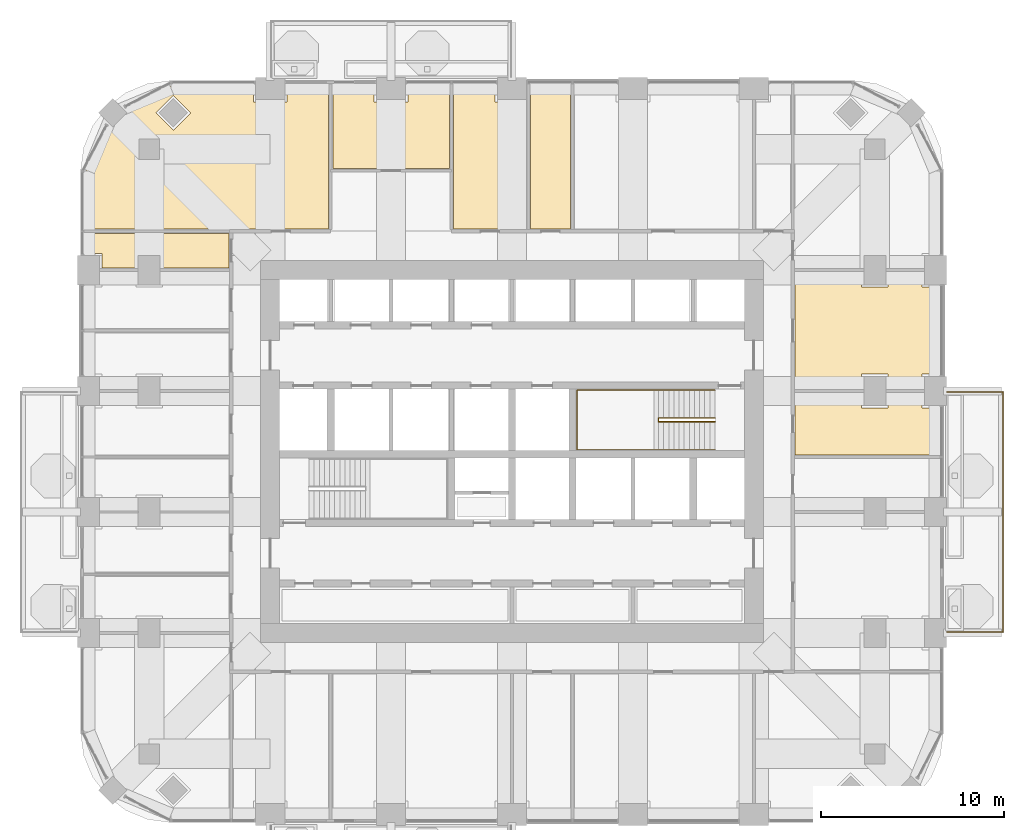
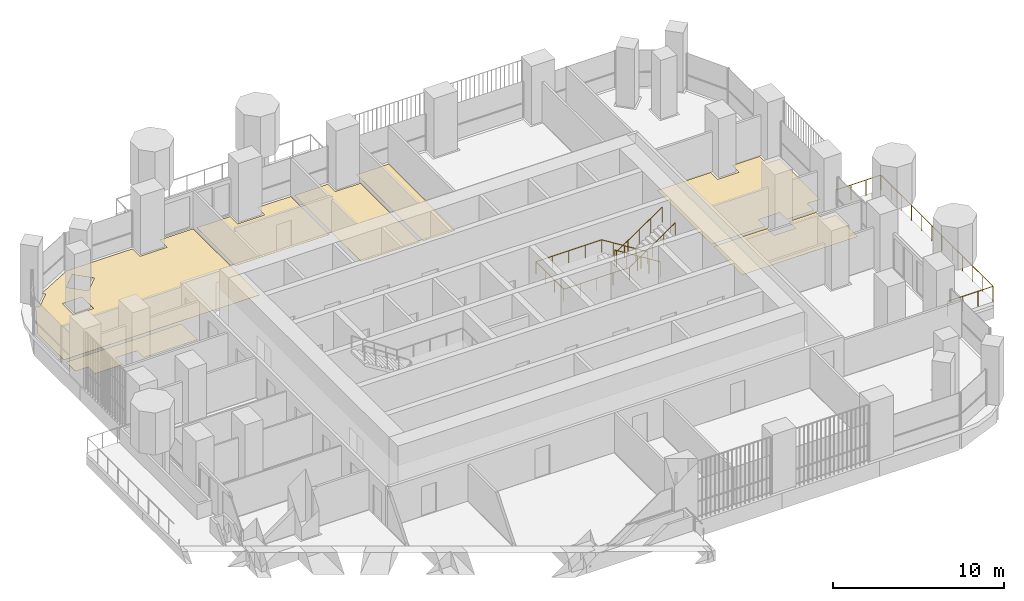
# One storey, part 18 of 20: 7 coverings, 3 railings.
"""IFC4 building model written with IfcOpenShell, lengths in metres."""

from ifc_helpers import new_model, si_unit, direction, frame, origin, place, context, subcontext, project, spatial, polyline, outline, extrude, material, layer, layer_set, type_object, element, save


model = new_model("IFC4")

# Units and contexts
model_context = context("Model", 3, precision=1e-05, world=origin(), true_north=direction((0.0, 1.0)))
body_context = subcontext(model_context, "Body", "Model", "MODEL_VIEW")
ifc_project = project(units=[si_unit("LENGTHUNIT", "METRE"), si_unit("AREAUNIT", "SQUARE_METRE"), si_unit("VOLUMEUNIT", "CUBIC_METRE"), si_unit("PLANEANGLEUNIT", "RADIAN"), si_unit("MASSUNIT", "GRAM", prefix="KILO")], contexts=[model_context])

# Site, building, storey
site_placement = place(None, origin())
site = spatial("IfcSite", under=ifc_project, at=site_placement, CompositionType="ELEMENT")
building_placement = place(site_placement, origin())
building = spatial("IfcBuilding", under=site, at=building_placement, Name="Cobogo Forest Laboratory Tower", CompositionType="ELEMENT")
storey_placement = place(building_placement, frame((0.0, 0.0, 210.300048828125)))
storey = spatial("IfcBuildingStorey", under=building, at=storey_placement, Name="L48", CompositionType="ELEMENT", Elevation=210.300048828125)

# Railing
ifc_material_1 = material(Name="Laminated glass balustrade", Category="glass")
railing_type_1 = type_object("IfcRailingType", Name="BG1 glass balustrade 1100", PredefinedType="GUARDRAIL", material=ifc_material_1)
railing_1_placement = place(storey_placement, frame((50.14990234375, 13.25, 0.0)))
element("IfcRailing", 1, at=railing_1_placement, inside=storey, type_object=railing_type_1, Name="Balcony balustrade BAL-E1 L48", PredefinedType="GUARDRAIL", context=body_context, shape_type="SweptSolid", body=[
    extrude(outline(polyline([(0.022216796875, 0.00927734375), (0.00927734375, 0.022216796875), (-0.00927734375, 0.022216796875), (-0.022216796875, 0.00927734375), (-0.022216796875, -0.00927734375), (-0.00927734375, -0.022216796875), (0.00927734375, -0.022216796875), (0.022216796875, -0.00927734375), (0.022216796875, 0.00927734375)])), frame((0.0, 0.0, 1.077880859375), z_axis=(1.0, 0.0, 0.0), x_axis=(0.0, 1.0, 0.0)), (0.0, 0.0, 1.0), 3.050048828125),
    extrude(outline(polyline([(0.022216796875, 0.00927734375), (0.00927734375, 0.022216796875), (-0.00927734375, 0.022216796875), (-0.022216796875, 0.00927734375), (-0.022216796875, -0.00927734375), (-0.00927734375, -0.022216796875), (0.00927734375, -0.022216796875), (0.022216796875, -0.00927734375), (0.022216796875, 0.00927734375)])), frame((3.050048828125, 0.0, 1.077880859375), z_axis=(0.0, 1.0, 0.0), x_axis=(-1.0, 0.0, 0.0)), (0.0, 0.0, 1.0), 13.10009765625),
    extrude(outline(polyline([(0.022216796875, 0.00927734375), (0.00927734375, 0.022216796875), (-0.00927734375, 0.022216796875), (-0.022216796875, 0.00927734375), (-0.022216796875, -0.00927734375), (-0.00927734375, -0.022216796875), (0.00927734375, -0.022216796875), (0.022216796875, -0.00927734375), (0.022216796875, 0.00927734375)])), frame((3.050048828125, 13.10009765625, 1.077880859375), z_axis=(-1.0, 0.0, 0.0), x_axis=(0.0, -1.0, 0.0)), (0.0, 0.0, 1.0), 3.050048828125),
    extrude(outline(polyline([(0.019287109375, 0.008056640625), (0.008056640625, 0.019287109375), (-0.008056640625, 0.019287109375), (-0.019287109375, 0.008056640625), (-0.019287109375, -0.008056640625), (-0.008056640625, -0.019287109375), (0.008056640625, -0.019287109375), (0.019287109375, -0.008056640625), (0.019287109375, 0.008056640625)])), origin(), (0.0, 0.0, 1.0), 1.077880859375),
    extrude(outline(polyline([(0.019287109375, 0.008056640625), (0.008056640625, 0.019287109375), (-0.008056640625, 0.019287109375), (-0.019287109375, 0.008056640625), (-0.019287109375, -0.008056640625), (-0.008056640625, -0.019287109375), (0.008056640625, -0.019287109375), (0.019287109375, -0.008056640625), (0.019287109375, 0.008056640625)])), frame((1.0166015625, 0.0, 0.0)), (0.0, 0.0, 1.0), 1.077880859375),
    extrude(outline(polyline([(0.019287109375, 0.008056640625), (0.008056640625, 0.019287109375), (-0.008056640625, 0.019287109375), (-0.019287109375, 0.008056640625), (-0.019287109375, -0.008056640625), (-0.008056640625, -0.019287109375), (0.008056640625, -0.019287109375), (0.019287109375, -0.008056640625), (0.019287109375, 0.008056640625)])), frame((2.033447265625, 0.0, 0.0)), (0.0, 0.0, 1.0), 1.077880859375),
    extrude(outline(polyline([(0.019287109375, 0.008056640625), (0.008056640625, 0.019287109375), (-0.008056640625, 0.019287109375), (-0.019287109375, 0.008056640625), (-0.019287109375, -0.008056640625), (-0.008056640625, -0.019287109375), (0.008056640625, -0.019287109375), (0.019287109375, -0.008056640625), (0.019287109375, 0.008056640625)])), frame((3.050048828125, 0.0, 0.0)), (0.0, 0.0, 1.0), 1.077880859375),
    extrude(outline(polyline([(0.019287109375, 0.008056640625), (0.008056640625, 0.019287109375), (-0.008056640625, 0.019287109375), (-0.019287109375, 0.008056640625), (-0.019287109375, -0.008056640625), (-0.008056640625, -0.019287109375), (0.008056640625, -0.019287109375), (0.019287109375, -0.008056640625), (0.019287109375, 0.008056640625)])), frame((3.050048828125, 1.19091796875, 0.0)), (0.0, 0.0, 1.0), 1.077880859375),
    extrude(outline(polyline([(0.019287109375, 0.008056640625), (0.008056640625, 0.019287109375), (-0.008056640625, 0.019287109375), (-0.019287109375, 0.008056640625), (-0.019287109375, -0.008056640625), (-0.008056640625, -0.019287109375), (0.008056640625, -0.019287109375), (0.019287109375, -0.008056640625), (0.019287109375, 0.008056640625)])), frame((3.050048828125, 2.3818359375, 0.0)), (0.0, 0.0, 1.0), 1.077880859375),
    extrude(outline(polyline([(0.019287109375, 0.008056640625), (0.008056640625, 0.019287109375), (-0.008056640625, 0.019287109375), (-0.019287109375, 0.008056640625), (-0.019287109375, -0.008056640625), (-0.008056640625, -0.019287109375), (0.008056640625, -0.019287109375), (0.019287109375, -0.008056640625), (0.019287109375, 0.008056640625)])), frame((3.050048828125, 3.57275390625, 0.0)), (0.0, 0.0, 1.0), 1.077880859375),
    extrude(outline(polyline([(0.019287109375, 0.008056640625), (0.008056640625, 0.019287109375), (-0.008056640625, 0.019287109375), (-0.019287109375, 0.008056640625), (-0.019287109375, -0.008056640625), (-0.008056640625, -0.019287109375), (0.008056640625, -0.019287109375), (0.019287109375, -0.008056640625), (0.019287109375, 0.008056640625)])), frame((3.050048828125, 4.763671875, 0.0)), (0.0, 0.0, 1.0), 1.077880859375),
    extrude(outline(polyline([(0.019287109375, 0.008056640625), (0.008056640625, 0.019287109375), (-0.008056640625, 0.019287109375), (-0.019287109375, 0.008056640625), (-0.019287109375, -0.008056640625), (-0.008056640625, -0.019287109375), (0.008056640625, -0.019287109375), (0.019287109375, -0.008056640625), (0.019287109375, 0.008056640625)])), frame((3.050048828125, 5.95458984375, 0.0)), (0.0, 0.0, 1.0), 1.077880859375),
    extrude(outline(polyline([(0.019287109375, 0.008056640625), (0.008056640625, 0.019287109375), (-0.008056640625, 0.019287109375), (-0.019287109375, 0.008056640625), (-0.019287109375, -0.008056640625), (-0.008056640625, -0.019287109375), (0.008056640625, -0.019287109375), (0.019287109375, -0.008056640625), (0.019287109375, 0.008056640625)])), frame((3.050048828125, 7.1455078125, 0.0)), (0.0, 0.0, 1.0), 1.077880859375),
    extrude(outline(polyline([(0.019287109375, 0.008056640625), (0.008056640625, 0.019287109375), (-0.008056640625, 0.019287109375), (-0.019287109375, 0.008056640625), (-0.019287109375, -0.008056640625), (-0.008056640625, -0.019287109375), (0.008056640625, -0.019287109375), (0.019287109375, -0.008056640625), (0.019287109375, 0.008056640625)])), frame((3.050048828125, 8.33642578125, 0.0)), (0.0, 0.0, 1.0), 1.077880859375),
    extrude(outline(polyline([(0.019287109375, 0.008056640625), (0.008056640625, 0.019287109375), (-0.008056640625, 0.019287109375), (-0.019287109375, 0.008056640625), (-0.019287109375, -0.008056640625), (-0.008056640625, -0.019287109375), (0.008056640625, -0.019287109375), (0.019287109375, -0.008056640625), (0.019287109375, 0.008056640625)])), frame((3.050048828125, 9.52734375, 0.0)), (0.0, 0.0, 1.0), 1.077880859375),
    extrude(outline(polyline([(0.019287109375, 0.008056640625), (0.008056640625, 0.019287109375), (-0.008056640625, 0.019287109375), (-0.019287109375, 0.008056640625), (-0.019287109375, -0.008056640625), (-0.008056640625, -0.019287109375), (0.008056640625, -0.019287109375), (0.019287109375, -0.008056640625), (0.019287109375, 0.008056640625)])), frame((3.050048828125, 10.71826171875, 0.0)), (0.0, 0.0, 1.0), 1.077880859375),
    extrude(outline(polyline([(0.019287109375, 0.008056640625), (0.008056640625, 0.019287109375), (-0.008056640625, 0.019287109375), (-0.019287109375, 0.008056640625), (-0.019287109375, -0.008056640625), (-0.008056640625, -0.019287109375), (0.008056640625, -0.019287109375), (0.019287109375, -0.008056640625), (0.019287109375, 0.008056640625)])), frame((3.050048828125, 11.9091796875, 0.0)), (0.0, 0.0, 1.0), 1.077880859375),
    extrude(outline(polyline([(0.019287109375, 0.008056640625), (0.008056640625, 0.019287109375), (-0.008056640625, 0.019287109375), (-0.019287109375, 0.008056640625), (-0.019287109375, -0.008056640625), (-0.008056640625, -0.019287109375), (0.008056640625, -0.019287109375), (0.019287109375, -0.008056640625), (0.019287109375, 0.008056640625)])), frame((3.050048828125, 13.10009765625, 0.0)), (0.0, 0.0, 1.0), 1.077880859375),
    extrude(outline(polyline([(0.019287109375, 0.008056640625), (0.008056640625, 0.019287109375), (-0.008056640625, 0.019287109375), (-0.019287109375, 0.008056640625), (-0.019287109375, -0.008056640625), (-0.008056640625, -0.019287109375), (0.008056640625, -0.019287109375), (0.019287109375, -0.008056640625), (0.019287109375, 0.008056640625)])), frame((2.033447265625, 13.10009765625, 0.0)), (0.0, 0.0, 1.0), 1.077880859375),
    extrude(outline(polyline([(0.019287109375, 0.008056640625), (0.008056640625, 0.019287109375), (-0.008056640625, 0.019287109375), (-0.019287109375, 0.008056640625), (-0.019287109375, -0.008056640625), (-0.008056640625, -0.019287109375), (0.008056640625, -0.019287109375), (0.019287109375, -0.008056640625), (0.019287109375, 0.008056640625)])), frame((1.0166015625, 13.10009765625, 0.0)), (0.0, 0.0, 1.0), 1.077880859375),
    extrude(outline(polyline([(0.019287109375, 0.008056640625), (0.008056640625, 0.019287109375), (-0.008056640625, 0.019287109375), (-0.019287109375, 0.008056640625), (-0.019287109375, -0.008056640625), (-0.008056640625, -0.019287109375), (0.008056640625, -0.019287109375), (0.019287109375, -0.008056640625), (0.019287109375, 0.008056640625)])), frame((0.0, 13.10009765625, 0.0)), (0.0, 0.0, 1.0), 1.077880859375),
])

# Coverings
ifc_material_2 = material(Name="Carpet tile on raised access floor", Category="flooring")
ifc_layer_1 = layer(ifc_material_2, 0.008056640625)
ifc_layer_set_1 = layer_set([ifc_layer_1], Name="CT1 carpet tile floor 8")
covering_type_1 = type_object("IfcCoveringType", Name="CT1 carpet tile floor 8", PredefinedType="FLOORING", material=ifc_layer_set_1)
covering_1_placement = place(storey_placement, origin())
element("IfcCovering", 2, at=covering_1_placement, inside=storey, type_object=covering_type_1, Name="Carpet floor L48-11", PredefinedType="FLOORING", context=body_context, shape_type="SweptSolid", body=[
    extrude(outline(polyline([(3.14990234375, 35.2451171875), (3.14990234375, 38.350830078125), (4.440185546875, 40.812255859375), (4.617919921875, 40.634521484375), (5.5654296875, 41.58203125), (5.387939453125, 41.759765625), (7.84912109375, 43.050048828125), (12.280029296875, 43.050048828125), (12.280029296875, 42.179931640625), (14.1201171875, 42.179931640625), (14.1201171875, 43.050048828125), (16.3798828125, 43.050048828125), (16.3798828125, 35.2451171875), (3.14990234375, 35.2451171875)]), holes=[polyline([(7.91796875, 40.634521484375), (8.865478515625, 41.58203125), (7.91796875, 42.529541015625), (6.970458984375, 41.58203125), (7.91796875, 40.634521484375)]), polyline([(5.929931640625, 38.929931640625), (7.27001953125, 38.929931640625), (7.27001953125, 40.27001953125), (5.929931640625, 40.27001953125), (5.929931640625, 38.929931640625)])]), origin(), (0.0, 0.0, 1.0), 0.008056640625),
])
covering_2_placement = place(storey_placement, origin())
element("IfcCovering", 3, at=covering_2_placement, inside=storey, type_object=covering_type_1, Name="Carpet floor L48-12", PredefinedType="FLOORING", context=body_context, shape_type="SweptSolid", body=[
    extrude(outline(polyline([(16.6201171875, 38.544921875), (16.6201171875, 43.050048828125), (18.8798828125, 43.050048828125), (18.8798828125, 42.179931640625), (20.719970703125, 42.179931640625), (20.719970703125, 43.050048828125), (22.97998046875, 43.050048828125), (22.97998046875, 38.544921875), (16.6201171875, 38.544921875)])), origin(), (0.0, 0.0, 1.0), 0.008056640625),
])
covering_3_placement = place(storey_placement, origin())
element("IfcCovering", 4, at=covering_3_placement, inside=storey, type_object=covering_type_1, Name="Carpet floor L48-13", PredefinedType="FLOORING", context=body_context, shape_type="SweptSolid", body=[
    extrude(outline(polyline([(23.219970703125, 35.2451171875), (23.219970703125, 43.050048828125), (25.47998046875, 43.050048828125), (25.47998046875, 42.179931640625), (27.179931640625, 42.179931640625), (27.179931640625, 35.2451171875), (23.219970703125, 35.2451171875)])), origin(), (0.0, 0.0, 1.0), 0.008056640625),
])

# Railings
ifc_material_3 = material(Name="Steel balustrade", Category="steel")
railing_type_2 = type_object("IfcRailingType", Name="GR stair guard 1100", PredefinedType="GUARDRAIL", material=ifc_material_3)
railing_2_placement = place(storey_placement, frame((37.47509765625, 24.929931640625, 0.175048828125)))
element("IfcRailing", 5, at=railing_2_placement, inside=storey, type_object=railing_type_2, Name="Stair guard ST2 L48", PredefinedType="GUARDRAIL", context=body_context, shape_type="SweptSolid", body=[
    extrude(outline(polyline([(0.022216796875, 0.00927734375), (0.00927734375, 0.022216796875), (-0.00927734375, 0.022216796875), (-0.022216796875, 0.00927734375), (-0.022216796875, -0.00927734375), (-0.00927734375, -0.022216796875), (0.00927734375, -0.022216796875), (0.022216796875, -0.00927734375), (0.022216796875, 0.00927734375)])), frame((0.0, 0.0, 1.077880859375), z_axis=(-0.848028513186, 0.0, 0.529950602248), x_axis=(0.0, -1.0, 0.0)), (0.0, 0.0, 1.0), 3.632080078125),
    extrude(outline(polyline([(0.022216796875, 0.00927734375), (0.00927734375, 0.022216796875), (-0.00927734375, 0.022216796875), (-0.022216796875, 0.00927734375), (-0.022216796875, -0.00927734375), (-0.00927734375, -0.022216796875), (0.00927734375, -0.022216796875), (0.022216796875, -0.00927734375), (0.022216796875, 0.00927734375)])), frame((-3.080078125, 0.0, 3.002685546875), z_axis=(0.0, -1.0, 0.0), x_axis=(1.0, 0.0, 0.0)), (0.0, 0.0, 1.0), 0.2099609375),
    extrude(outline(polyline([(0.022216796875, 0.00927734375), (0.00927734375, 0.022216796875), (-0.00927734375, 0.022216796875), (-0.022216796875, 0.00927734375), (-0.022216796875, -0.00927734375), (-0.00927734375, -0.022216796875), (0.00927734375, -0.022216796875), (0.022216796875, -0.00927734375), (0.022216796875, 0.00927734375)])), frame((-3.080078125, -0.2099609375, 3.002685546875), z_axis=(0.826221800596, 0.0, 0.563344953133), x_axis=(0.0, 1.0, 0.0)), (0.0, 0.0, 1.0), 3.72802734375),
    extrude(outline(polyline([(0.019287109375, 0.008056640625), (0.008056640625, 0.019287109375), (-0.008056640625, 0.019287109375), (-0.019287109375, 0.008056640625), (-0.019287109375, -0.008056640625), (-0.008056640625, -0.019287109375), (0.008056640625, -0.019287109375), (0.019287109375, -0.008056640625), (0.019287109375, 0.008056640625)])), origin(), (0.0, 0.0, 1.0), 1.077880859375),
    extrude(outline(polyline([(0.019287109375, 0.008056640625), (0.008056640625, 0.019287109375), (-0.008056640625, 0.019287109375), (-0.019287109375, 0.008056640625), (-0.019287109375, -0.008056640625), (-0.008056640625, -0.019287109375), (0.008056640625, -0.019287109375), (0.019287109375, -0.008056640625), (0.019287109375, 0.008056640625)])), frame((-0.77001953125, 0.0, 0.481201171875)), (0.0, 0.0, 1.0), 1.077880859375),
    extrude(outline(polyline([(0.019287109375, 0.008056640625), (0.008056640625, 0.019287109375), (-0.008056640625, 0.019287109375), (-0.019287109375, 0.008056640625), (-0.019287109375, -0.008056640625), (-0.008056640625, -0.019287109375), (0.008056640625, -0.019287109375), (0.019287109375, -0.008056640625), (0.019287109375, 0.008056640625)])), frame((-1.5400390625, 0.0, 0.96240234375)), (0.0, 0.0, 1.0), 1.077880859375),
    extrude(outline(polyline([(0.019287109375, 0.008056640625), (0.008056640625, 0.019287109375), (-0.008056640625, 0.019287109375), (-0.019287109375, 0.008056640625), (-0.019287109375, -0.008056640625), (-0.008056640625, -0.019287109375), (0.008056640625, -0.019287109375), (0.019287109375, -0.008056640625), (0.019287109375, 0.008056640625)])), frame((-2.31005859375, 0.0, 1.443603515625)), (0.0, 0.0, 1.0), 1.077880859375),
    extrude(outline(polyline([(0.019287109375, 0.008056640625), (0.008056640625, 0.019287109375), (-0.008056640625, 0.019287109375), (-0.019287109375, 0.008056640625), (-0.019287109375, -0.008056640625), (-0.008056640625, -0.019287109375), (0.008056640625, -0.019287109375), (0.019287109375, -0.008056640625), (0.019287109375, 0.008056640625)])), frame((-3.080078125, 0.0, 1.9248046875)), (0.0, 0.0, 1.0), 1.077880859375),
    extrude(outline(polyline([(0.019287109375, 0.008056640625), (0.008056640625, 0.019287109375), (-0.008056640625, 0.019287109375), (-0.019287109375, 0.008056640625), (-0.019287109375, -0.008056640625), (-0.008056640625, -0.019287109375), (0.008056640625, -0.019287109375), (0.019287109375, -0.008056640625), (0.019287109375, 0.008056640625)])), frame((-3.080078125, -0.2099609375, 1.9248046875)), (0.0, 0.0, 1.0), 1.077880859375),
    extrude(outline(polyline([(0.019287109375, 0.008056640625), (0.008056640625, 0.019287109375), (-0.008056640625, 0.019287109375), (-0.019287109375, 0.008056640625), (-0.019287109375, -0.008056640625), (-0.008056640625, -0.019287109375), (0.008056640625, -0.019287109375), (0.019287109375, -0.008056640625), (0.019287109375, 0.008056640625)])), frame((-2.31005859375, -0.2099609375, 2.44970703125)), (0.0, 0.0, 1.0), 1.077880859375),
    extrude(outline(polyline([(0.019287109375, 0.008056640625), (0.008056640625, 0.019287109375), (-0.008056640625, 0.019287109375), (-0.019287109375, 0.008056640625), (-0.019287109375, -0.008056640625), (-0.008056640625, -0.019287109375), (0.008056640625, -0.019287109375), (0.019287109375, -0.008056640625), (0.019287109375, 0.008056640625)])), frame((-1.5400390625, -0.2099609375, 2.974853515625)), (0.0, 0.0, 1.0), 1.077880859375),
    extrude(outline(polyline([(0.019287109375, 0.008056640625), (0.008056640625, 0.019287109375), (-0.008056640625, 0.019287109375), (-0.019287109375, 0.008056640625), (-0.019287109375, -0.008056640625), (-0.008056640625, -0.019287109375), (0.008056640625, -0.019287109375), (0.019287109375, -0.008056640625), (0.019287109375, 0.008056640625)])), frame((-0.77001953125, -0.2099609375, 3.5)), (0.0, 0.0, 1.0), 1.077880859375),
    extrude(outline(polyline([(0.019287109375, 0.008056640625), (0.008056640625, 0.019287109375), (-0.008056640625, 0.019287109375), (-0.019287109375, 0.008056640625), (-0.019287109375, -0.008056640625), (-0.008056640625, -0.019287109375), (0.008056640625, -0.019287109375), (0.019287109375, -0.008056640625), (0.019287109375, 0.008056640625)])), frame((0.0, -0.2099609375, 4.02490234375)), (0.0, 0.0, 1.0), 1.077880859375),
])
ifc_material_4 = material(Name="Stainless steel handrail", Category="steel")
railing_type_3 = type_object("IfcRailingType", Name="HR handrail 900", PredefinedType="HANDRAIL", material=ifc_material_4)
railing_3_placement = place(storey_placement, frame((37.47509765625, 26.449951171875, 0.175048828125)))
element("IfcRailing", 6, at=railing_3_placement, inside=storey, type_object=railing_type_3, Name="Stair handrail ST2 L48", PredefinedType="HANDRAIL", context=body_context, shape_type="SweptSolid", body=[
    extrude(outline(polyline([(0.022216796875, 0.00927734375), (0.00927734375, 0.022216796875), (-0.00927734375, 0.022216796875), (-0.022216796875, 0.00927734375), (-0.022216796875, -0.00927734375), (-0.00927734375, -0.022216796875), (0.00927734375, -0.022216796875), (0.022216796875, -0.00927734375), (0.022216796875, 0.00927734375)])), frame((0.0, 0.0, 0.877685546875), z_axis=(-0.848028513186, 0.0, 0.529950602248), x_axis=(0.0, -1.0, 0.0)), (0.0, 0.0, 1.0), 3.632080078125),
    extrude(outline(polyline([(0.022216796875, 0.00927734375), (0.00927734375, 0.022216796875), (-0.00927734375, 0.022216796875), (-0.022216796875, 0.00927734375), (-0.022216796875, -0.00927734375), (-0.00927734375, -0.022216796875), (0.00927734375, -0.022216796875), (0.022216796875, -0.00927734375), (0.022216796875, 0.00927734375)])), frame((-3.080078125, 0.0, 2.802490234375), z_axis=(-1.0, 0.0, 0.0), x_axis=(0.0, -1.0, 0.0)), (0.0, 0.0, 1.0), 4.445068359375),
    extrude(outline(polyline([(0.022216796875, 0.00927734375), (0.00927734375, 0.022216796875), (-0.00927734375, 0.022216796875), (-0.022216796875, 0.00927734375), (-0.022216796875, -0.00927734375), (-0.00927734375, -0.022216796875), (0.00927734375, -0.022216796875), (0.022216796875, -0.00927734375), (0.022216796875, 0.00927734375)])), frame((-7.525146484375, 0.0, 2.802490234375), z_axis=(0.0, -1.0, 0.0), x_axis=(1.0, 0.0, 0.0)), (0.0, 0.0, 1.0), 3.25),
    extrude(outline(polyline([(0.022216796875, 0.00927734375), (0.00927734375, 0.022216796875), (-0.00927734375, 0.022216796875), (-0.022216796875, 0.00927734375), (-0.022216796875, -0.00927734375), (-0.00927734375, -0.022216796875), (0.00927734375, -0.022216796875), (0.022216796875, -0.00927734375), (0.022216796875, 0.00927734375)])), frame((-7.525146484375, -3.25, 2.802490234375), z_axis=(1.0, 0.0, 0.0), x_axis=(0.0, 1.0, 0.0)), (0.0, 0.0, 1.0), 4.445068359375),
    extrude(outline(polyline([(0.022216796875, 0.00927734375), (0.00927734375, 0.022216796875), (-0.00927734375, 0.022216796875), (-0.022216796875, 0.00927734375), (-0.022216796875, -0.00927734375), (-0.00927734375, -0.022216796875), (0.00927734375, -0.022216796875), (0.022216796875, -0.00927734375), (0.022216796875, 0.00927734375)])), frame((-3.080078125, -3.25, 2.802490234375), z_axis=(0.826221800596, 0.0, 0.563344953133), x_axis=(0.0, 1.0, 0.0)), (0.0, 0.0, 1.0), 3.72802734375),
    extrude(outline(polyline([(0.019287109375, 0.008056640625), (0.008056640625, 0.019287109375), (-0.008056640625, 0.019287109375), (-0.019287109375, 0.008056640625), (-0.019287109375, -0.008056640625), (-0.008056640625, -0.019287109375), (0.008056640625, -0.019287109375), (0.019287109375, -0.008056640625), (0.019287109375, 0.008056640625)])), origin(), (0.0, 0.0, 1.0), 0.877685546875),
    extrude(outline(polyline([(0.019287109375, 0.008056640625), (0.008056640625, 0.019287109375), (-0.008056640625, 0.019287109375), (-0.019287109375, 0.008056640625), (-0.019287109375, -0.008056640625), (-0.008056640625, -0.019287109375), (0.008056640625, -0.019287109375), (0.019287109375, -0.008056640625), (0.019287109375, 0.008056640625)])), frame((-0.77001953125, 0.0, 0.481201171875)), (0.0, 0.0, 1.0), 0.877685546875),
    extrude(outline(polyline([(0.019287109375, 0.008056640625), (0.008056640625, 0.019287109375), (-0.008056640625, 0.019287109375), (-0.019287109375, 0.008056640625), (-0.019287109375, -0.008056640625), (-0.008056640625, -0.019287109375), (0.008056640625, -0.019287109375), (0.019287109375, -0.008056640625), (0.019287109375, 0.008056640625)])), frame((-1.5400390625, 0.0, 0.96240234375)), (0.0, 0.0, 1.0), 0.877685546875),
    extrude(outline(polyline([(0.019287109375, 0.008056640625), (0.008056640625, 0.019287109375), (-0.008056640625, 0.019287109375), (-0.019287109375, 0.008056640625), (-0.019287109375, -0.008056640625), (-0.008056640625, -0.019287109375), (0.008056640625, -0.019287109375), (0.019287109375, -0.008056640625), (0.019287109375, 0.008056640625)])), frame((-2.31005859375, 0.0, 1.443603515625)), (0.0, 0.0, 1.0), 0.877685546875),
    extrude(outline(polyline([(0.019287109375, 0.008056640625), (0.008056640625, 0.019287109375), (-0.008056640625, 0.019287109375), (-0.019287109375, 0.008056640625), (-0.019287109375, -0.008056640625), (-0.008056640625, -0.019287109375), (0.008056640625, -0.019287109375), (0.019287109375, -0.008056640625), (0.019287109375, 0.008056640625)])), frame((-3.080078125, 0.0, 1.9248046875)), (0.0, 0.0, 1.0), 0.877685546875),
    extrude(outline(polyline([(0.019287109375, 0.008056640625), (0.008056640625, 0.019287109375), (-0.008056640625, 0.019287109375), (-0.019287109375, 0.008056640625), (-0.019287109375, -0.008056640625), (-0.008056640625, -0.019287109375), (0.008056640625, -0.019287109375), (0.019287109375, -0.008056640625), (0.019287109375, 0.008056640625)])), frame((-4.19140625, 0.0, 1.9248046875)), (0.0, 0.0, 1.0), 0.877685546875),
    extrude(outline(polyline([(0.019287109375, 0.008056640625), (0.008056640625, 0.019287109375), (-0.008056640625, 0.019287109375), (-0.019287109375, 0.008056640625), (-0.019287109375, -0.008056640625), (-0.008056640625, -0.019287109375), (0.008056640625, -0.019287109375), (0.019287109375, -0.008056640625), (0.019287109375, 0.008056640625)])), frame((-5.302734375, 0.0, 1.9248046875)), (0.0, 0.0, 1.0), 0.877685546875),
    extrude(outline(polyline([(0.019287109375, 0.008056640625), (0.008056640625, 0.019287109375), (-0.008056640625, 0.019287109375), (-0.019287109375, 0.008056640625), (-0.019287109375, -0.008056640625), (-0.008056640625, -0.019287109375), (0.008056640625, -0.019287109375), (0.019287109375, -0.008056640625), (0.019287109375, 0.008056640625)])), frame((-6.413818359375, 0.0, 1.9248046875)), (0.0, 0.0, 1.0), 0.877685546875),
    extrude(outline(polyline([(0.019287109375, 0.008056640625), (0.008056640625, 0.019287109375), (-0.008056640625, 0.019287109375), (-0.019287109375, 0.008056640625), (-0.019287109375, -0.008056640625), (-0.008056640625, -0.019287109375), (0.008056640625, -0.019287109375), (0.019287109375, -0.008056640625), (0.019287109375, 0.008056640625)])), frame((-7.525146484375, 0.0, 1.9248046875)), (0.0, 0.0, 1.0), 0.877685546875),
    extrude(outline(polyline([(0.019287109375, 0.008056640625), (0.008056640625, 0.019287109375), (-0.008056640625, 0.019287109375), (-0.019287109375, 0.008056640625), (-0.019287109375, -0.008056640625), (-0.008056640625, -0.019287109375), (0.008056640625, -0.019287109375), (0.019287109375, -0.008056640625), (0.019287109375, 0.008056640625)])), frame((-7.525146484375, -1.083251953125, 1.9248046875)), (0.0, 0.0, 1.0), 0.877685546875),
    extrude(outline(polyline([(0.019287109375, 0.008056640625), (0.008056640625, 0.019287109375), (-0.008056640625, 0.019287109375), (-0.019287109375, 0.008056640625), (-0.019287109375, -0.008056640625), (-0.008056640625, -0.019287109375), (0.008056640625, -0.019287109375), (0.019287109375, -0.008056640625), (0.019287109375, 0.008056640625)])), frame((-7.525146484375, -2.166748046875, 1.9248046875)), (0.0, 0.0, 1.0), 0.877685546875),
    extrude(outline(polyline([(0.019287109375, 0.008056640625), (0.008056640625, 0.019287109375), (-0.008056640625, 0.019287109375), (-0.019287109375, 0.008056640625), (-0.019287109375, -0.008056640625), (-0.008056640625, -0.019287109375), (0.008056640625, -0.019287109375), (0.019287109375, -0.008056640625), (0.019287109375, 0.008056640625)])), frame((-7.525146484375, -3.25, 1.9248046875)), (0.0, 0.0, 1.0), 0.877685546875),
    extrude(outline(polyline([(0.019287109375, 0.008056640625), (0.008056640625, 0.019287109375), (-0.008056640625, 0.019287109375), (-0.019287109375, 0.008056640625), (-0.019287109375, -0.008056640625), (-0.008056640625, -0.019287109375), (0.008056640625, -0.019287109375), (0.019287109375, -0.008056640625), (0.019287109375, 0.008056640625)])), frame((-6.413818359375, -3.25, 1.9248046875)), (0.0, 0.0, 1.0), 0.877685546875),
    extrude(outline(polyline([(0.019287109375, 0.008056640625), (0.008056640625, 0.019287109375), (-0.008056640625, 0.019287109375), (-0.019287109375, 0.008056640625), (-0.019287109375, -0.008056640625), (-0.008056640625, -0.019287109375), (0.008056640625, -0.019287109375), (0.019287109375, -0.008056640625), (0.019287109375, 0.008056640625)])), frame((-5.302734375, -3.25, 1.9248046875)), (0.0, 0.0, 1.0), 0.877685546875),
    extrude(outline(polyline([(0.019287109375, 0.008056640625), (0.008056640625, 0.019287109375), (-0.008056640625, 0.019287109375), (-0.019287109375, 0.008056640625), (-0.019287109375, -0.008056640625), (-0.008056640625, -0.019287109375), (0.008056640625, -0.019287109375), (0.019287109375, -0.008056640625), (0.019287109375, 0.008056640625)])), frame((-4.19140625, -3.25, 1.9248046875)), (0.0, 0.0, 1.0), 0.877685546875),
    extrude(outline(polyline([(0.019287109375, 0.008056640625), (0.008056640625, 0.019287109375), (-0.008056640625, 0.019287109375), (-0.019287109375, 0.008056640625), (-0.019287109375, -0.008056640625), (-0.008056640625, -0.019287109375), (0.008056640625, -0.019287109375), (0.019287109375, -0.008056640625), (0.019287109375, 0.008056640625)])), frame((-3.080078125, -3.25, 1.9248046875)), (0.0, 0.0, 1.0), 0.877685546875),
    extrude(outline(polyline([(0.019287109375, 0.008056640625), (0.008056640625, 0.019287109375), (-0.008056640625, 0.019287109375), (-0.019287109375, 0.008056640625), (-0.019287109375, -0.008056640625), (-0.008056640625, -0.019287109375), (0.008056640625, -0.019287109375), (0.019287109375, -0.008056640625), (0.019287109375, 0.008056640625)])), frame((-2.31005859375, -3.25, 2.44970703125)), (0.0, 0.0, 1.0), 0.877685546875),
    extrude(outline(polyline([(0.019287109375, 0.008056640625), (0.008056640625, 0.019287109375), (-0.008056640625, 0.019287109375), (-0.019287109375, 0.008056640625), (-0.019287109375, -0.008056640625), (-0.008056640625, -0.019287109375), (0.008056640625, -0.019287109375), (0.019287109375, -0.008056640625), (0.019287109375, 0.008056640625)])), frame((-1.5400390625, -3.25, 2.974853515625)), (0.0, 0.0, 1.0), 0.877685546875),
    extrude(outline(polyline([(0.019287109375, 0.008056640625), (0.008056640625, 0.019287109375), (-0.008056640625, 0.019287109375), (-0.019287109375, 0.008056640625), (-0.019287109375, -0.008056640625), (-0.008056640625, -0.019287109375), (0.008056640625, -0.019287109375), (0.019287109375, -0.008056640625), (0.019287109375, 0.008056640625)])), frame((-0.77001953125, -3.25, 3.5)), (0.0, 0.0, 1.0), 0.877685546875),
    extrude(outline(polyline([(0.019287109375, 0.008056640625), (0.008056640625, 0.019287109375), (-0.008056640625, 0.019287109375), (-0.019287109375, 0.008056640625), (-0.019287109375, -0.008056640625), (-0.008056640625, -0.019287109375), (0.008056640625, -0.019287109375), (0.019287109375, -0.008056640625), (0.019287109375, 0.008056640625)])), frame((0.0, -3.25, 4.02490234375)), (0.0, 0.0, 1.0), 0.877685546875),
])

# Coverings
ifc_material_5 = material(Name="Static-dissipative vinyl flooring", Category="flooring")
ifc_layer_2 = layer(ifc_material_5, 0.0029296875)
ifc_layer_set_2 = layer_set([ifc_layer_2], Name="SD1 static-dissipative vinyl floor 3")
covering_type_2 = type_object("IfcCoveringType", Name="SD1 static-dissipative vinyl floor 3", PredefinedType="FLOORING", material=ifc_layer_set_2)
covering_4_placement = place(storey_placement, origin())
element("IfcCovering", 7, at=covering_4_placement, inside=storey, type_object=covering_type_2, Name="Static-dissipative floor L48-08", PredefinedType="FLOORING", context=body_context, shape_type="SweptSolid", body=[
    extrude(outline(polyline([(41.844970703125, 26.280029296875), (45.47998046875, 26.280029296875), (45.47998046875, 25.47998046875), (46.919921875, 25.47998046875), (46.919921875, 26.280029296875), (48.780029296875, 26.280029296875), (48.780029296875, 25.47998046875), (49.64990234375, 25.47998046875), (49.64990234375, 22.919921875), (41.844970703125, 22.919921875), (41.844970703125, 26.280029296875)])), origin(), (0.0, 0.0, 1.0), 0.0029296875),
])
covering_5_placement = place(storey_placement, origin())
element("IfcCovering", 8, at=covering_5_placement, inside=storey, type_object=covering_type_2, Name="Static-dissipative floor L48-09", PredefinedType="FLOORING", context=body_context, shape_type="SweptSolid", body=[
    extrude(outline(polyline([(41.844970703125, 32.8798828125), (45.47998046875, 32.8798828125), (45.47998046875, 32.080078125), (46.919921875, 32.080078125), (46.919921875, 32.8798828125), (48.780029296875, 32.8798828125), (48.780029296875, 32.080078125), (49.64990234375, 32.080078125), (49.64990234375, 27.320068359375), (48.780029296875, 27.320068359375), (48.780029296875, 26.52001953125), (46.919921875, 26.52001953125), (46.919921875, 27.320068359375), (45.47998046875, 27.320068359375), (45.47998046875, 26.52001953125), (41.844970703125, 26.52001953125), (41.844970703125, 32.8798828125)])), origin(), (0.0, 0.0, 1.0), 0.0029296875),
])
covering_6_placement = place(storey_placement, origin())
element("IfcCovering", 9, at=covering_6_placement, inside=storey, type_object=covering_type_2, Name="Static-dissipative floor L48-24", PredefinedType="FLOORING", context=body_context, shape_type="SweptSolid", body=[
    extrude(outline(polyline([(10.955078125, 33.1201171875), (7.320068359375, 33.1201171875), (7.320068359375, 33.919921875), (5.8798828125, 33.919921875), (5.8798828125, 33.1201171875), (4.02001953125, 33.1201171875), (4.02001953125, 33.919921875), (3.14990234375, 33.919921875), (3.14990234375, 35.0048828125), (10.955078125, 35.0048828125), (10.955078125, 33.1201171875)])), origin(), (0.0, 0.0, 1.0), 0.0029296875),
])
ifc_material_6 = material(Name="Ceramic floor tile", Category="flooring")
ifc_layer_3 = layer(ifc_material_6, 0.010009765625)
ifc_layer_set_3 = layer_set([ifc_layer_3], Name="TF1 ceramic tile floor 10")
covering_type_3 = type_object("IfcCoveringType", Name="TF1 ceramic tile floor 10", PredefinedType="FLOORING", material=ifc_layer_set_3)
covering_7_placement = place(storey_placement, origin())
element("IfcCovering", 10, at=covering_7_placement, inside=storey, type_object=covering_type_3, Name="Tile floor L48-14", PredefinedType="FLOORING", context=body_context, shape_type="SweptSolid", body=[
    extrude(outline(polyline([(29.580078125, 35.2451171875), (27.419921875, 35.2451171875), (27.419921875, 43.050048828125), (29.580078125, 43.050048828125), (29.580078125, 35.2451171875)])), origin(), (0.0, 0.0, 1.0), 0.010009765625),
])

save(model, "model.ifc")
